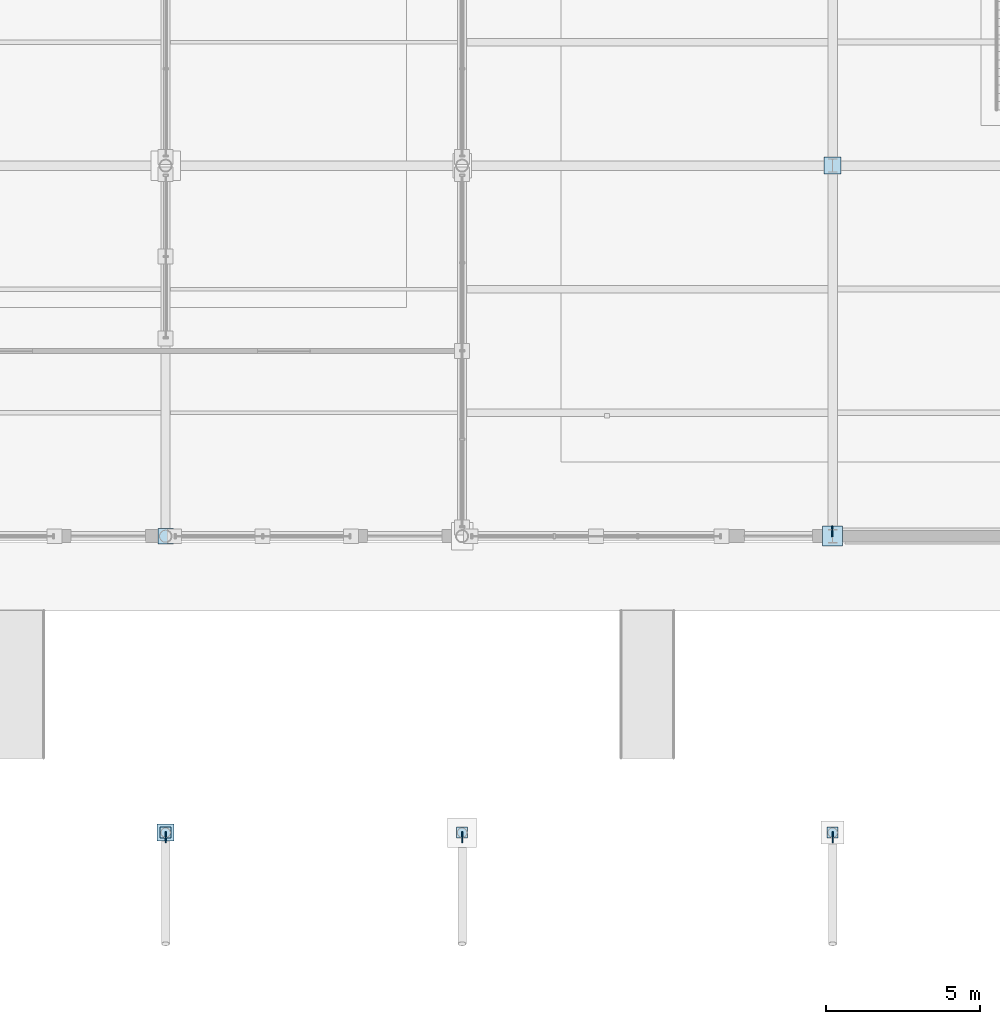
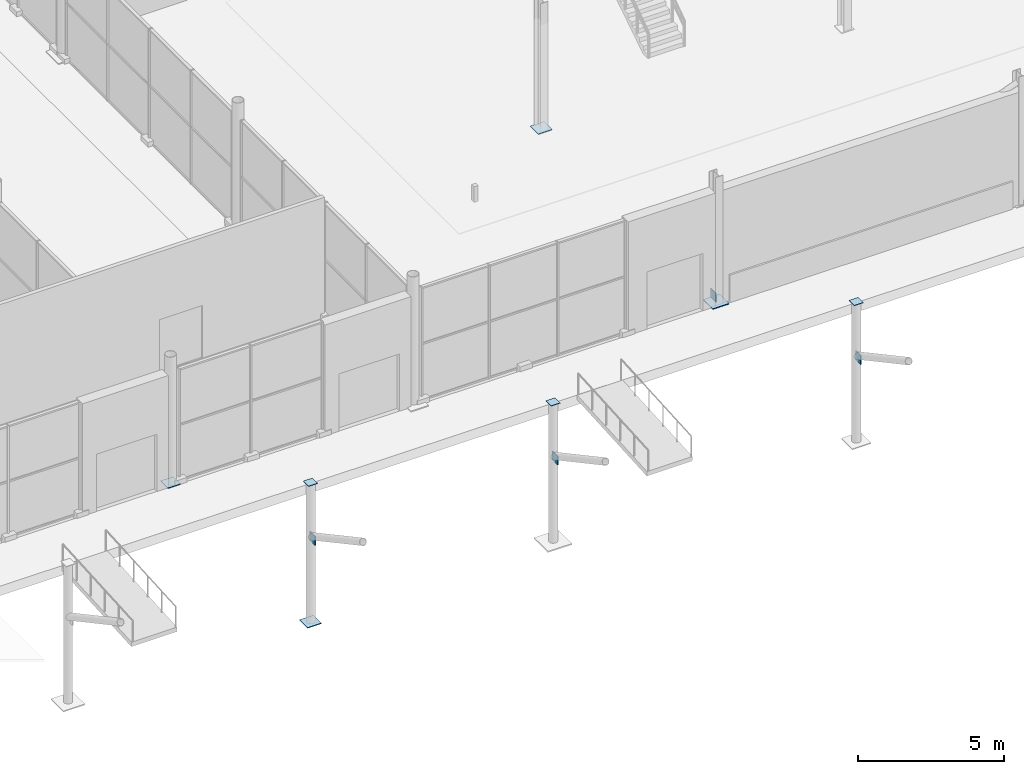
# One storey, part 157 of 196: 11 plates.
"""IFC4 building model written with IfcOpenShell, lengths in metres."""

from ifc_helpers import new_model, si_unit, direction, frame, origin, origin_2d, place, context, subcontext, project, spatial, rectangle, extrude, material, layer, layer_set, type_object, element, save


model = new_model("IFC4")

# Units and contexts
model_context = context("Model", 3, precision=1e-05, world=origin(), true_north=direction((0.0, 1.0)))
body_context = subcontext(model_context, "Body", "Model", "MODEL_VIEW")
ifc_project = project(units=[si_unit("LENGTHUNIT", "METRE"), si_unit("AREAUNIT", "SQUARE_METRE"), si_unit("VOLUMEUNIT", "CUBIC_METRE"), si_unit("PLANEANGLEUNIT", "RADIAN"), si_unit("MASSUNIT", "GRAM", prefix="KILO")], contexts=[model_context])

# Site, building, storey
site_placement = place(None, origin())
site = spatial("IfcSite", under=ifc_project, at=site_placement, CompositionType="ELEMENT")
building_placement = place(site_placement, origin())
building = spatial("IfcBuilding", under=site, at=building_placement, Name="Merenkruunu Market Hall", CompositionType="ELEMENT")
storey_placement = place(building_placement, origin())
storey = spatial("IfcBuildingStorey", under=building, at=storey_placement, Name="L00", CompositionType="ELEMENT", Elevation=0.0)

# Plates
ifc_material = material(Name="Steel S355ML", Category="steel")
ifc_layer_1 = layer(ifc_material, 0.034912109375)
ifc_layer_set_1 = layer_set([ifc_layer_1], Name="Steel S355ML")
plate_type_1 = type_object("IfcPlateType", Name="Column Base Plate BP03", PredefinedType="USERDEFINED", material=ifc_layer_set_1)
plate_1_placement = place(storey_placement, frame((88.800048828125, 15.60009765625, 0.0), z_axis=(0.0, 0.0, 1.0), x_axis=(1.0, 0.0, 0.0)))
element("IfcPlate", 1, at=plate_1_placement, inside=storey, type_object=plate_type_1, Name="PLT-BP-K-03", ObjectType="BASE_PLATE", PredefinedType="USERDEFINED", context=body_context, shape_type="SweptSolid", body=[
    extrude(rectangle(XDim=0.64990234375, YDim=0.64990234375, at=origin_2d()), origin(), (0.0, 0.0, 1.0), 0.034912109375),
])
ifc_layer_2 = layer(ifc_material, 0.030029296875)
ifc_layer_set_2 = layer_set([ifc_layer_2], Name="Steel S355ML")
plate_type_2 = type_object("IfcPlateType", Name="Column Base Plate BP04", PredefinedType="USERDEFINED", material=ifc_layer_set_2)
for number, where, z_axis, x_axis, name in (
    (2, (67.199951171875, 6.0, 0.0), (0.0, 0.0, 1.0), (1.0, 0.0, 0.0), "PLT-BP-H-02"),
    (3, (88.800048828125, 27.60009765625, 0.0), (0.0, 0.0, 1.0), (1.0, 0.0, 0.0), "PLT-BP-K-04"),
):
    element("IfcPlate", number, at=place(storey_placement, frame(where, z_axis=z_axis, x_axis=x_axis)), inside=storey, type_object=plate_type_2, Name=name, ObjectType="BASE_PLATE", PredefinedType="USERDEFINED", context=body_context, shape_type="SweptSolid", body=[
        extrude(rectangle(XDim=0.550048828125, YDim=0.550048828125, at=origin_2d()), origin(), (0.0, 0.0, 1.0), 0.030029296875),
    ])
ifc_layer_3 = layer(ifc_material, 0.028076171875)
ifc_layer_set_3 = layer_set([ifc_layer_3], Name="Steel S355ML")
plate_type_3 = type_object("IfcPlateType", Name="Column Base Plate BP05", PredefinedType="USERDEFINED", material=ifc_layer_set_3)
plate_2_placement = place(storey_placement, frame((67.199951171875, 15.60009765625, 0.0), z_axis=(0.0, 0.0, 1.0), x_axis=(1.0, 0.0, 0.0)))
element("IfcPlate", 4, at=plate_2_placement, inside=storey, type_object=plate_type_3, Name="PLT-BP-H-03", ObjectType="BASE_PLATE", PredefinedType="USERDEFINED", context=body_context, shape_type="SweptSolid", body=[
    extrude(rectangle(XDim=0.5, YDim=0.5, at=origin_2d()), origin(), (0.0, 0.0, 1.0), 0.028076171875),
])
ifc_layer_4 = layer(ifc_material, 0.02001953125)
ifc_layer_set_4 = layer_set([ifc_layer_4], Name="Steel S355ML")
plate_type_4 = type_object("IfcPlateType", Name="Truss Gusset Or Cap Plate CP01", PredefinedType="USERDEFINED", material=ifc_layer_set_4)
for number, where, z_axis, x_axis, name in (
    (5, (67.199951171875, 6.0, 5.837890625), (0.0, 0.0, 1.0), (1.0, 0.0, 0.0), "PLT-CAP-028"),
    (6, (76.800048828125, 6.0, 5.837890625), (0.0, 0.0, 1.0), (1.0, 0.0, 0.0), "PLT-CAP-038"),
    (7, (88.800048828125, 6.0, 5.837890625), (0.0, 0.0, 1.0), (1.0, 0.0, 0.0), "PLT-CAP-050"),
):
    element("IfcPlate", number, at=place(storey_placement, frame(where, z_axis=z_axis, x_axis=x_axis)), inside=storey, type_object=plate_type_4, Name=name, ObjectType="GUSSET_PLATE", PredefinedType="USERDEFINED", context=body_context, shape_type="SweptSolid", body=[
        extrude(rectangle(XDim=0.360107421875, YDim=0.360107421875, at=origin_2d()), origin(), (0.0, 0.0, 1.0), 0.02001953125),
    ])
ifc_layer_5 = layer(ifc_material, 0.035888671875)
ifc_layer_set_5 = layer_set([ifc_layer_5], Name="Steel S355ML")
plate_type_5 = type_object("IfcPlateType", Name="Truss Gusset Or Cap Plate CP08", PredefinedType="USERDEFINED", material=ifc_layer_set_5)
for number, where, z_axis, x_axis, name in (
    (8, (67.199951171875, 5.85009765625, 3.41015625), (0.0, 0.0, 1.0), (1.0, 0.0, 0.0), "PLT-V6-STRUT-067-A"),
    (9, (76.800048828125, 5.85009765625, 3.41015625), (0.0, 0.0, 1.0), (1.0, 0.0, 0.0), "PLT-V6-STRUT-077-A"),
    (10, (88.800048828125, 5.85009765625, 3.41015625), (0.0, 0.0, 1.0), (1.0, 0.0, 0.0), "PLT-V6-STRUT-089-A"),
    (11, (88.781982421875, 15.760009765625, 0.010009765625), (0.0, 0.0, 1.0), (1.0, 0.0, 0.0), "PLT-CBF07-A"),
):
    element("IfcPlate", number, at=place(storey_placement, frame(where, z_axis=z_axis, x_axis=x_axis)), inside=storey, type_object=plate_type_5, Name=name, ObjectType="GUSSET_PLATE", PredefinedType="USERDEFINED", context=body_context, shape_type="SweptSolid", body=[
        extrude(rectangle(XDim=0.035888671875, YDim=0.360107421875, at=origin_2d()), origin(), (0.0, 0.0, 1.0), 0.3798828125),
    ])

save(model, "model.ifc")
